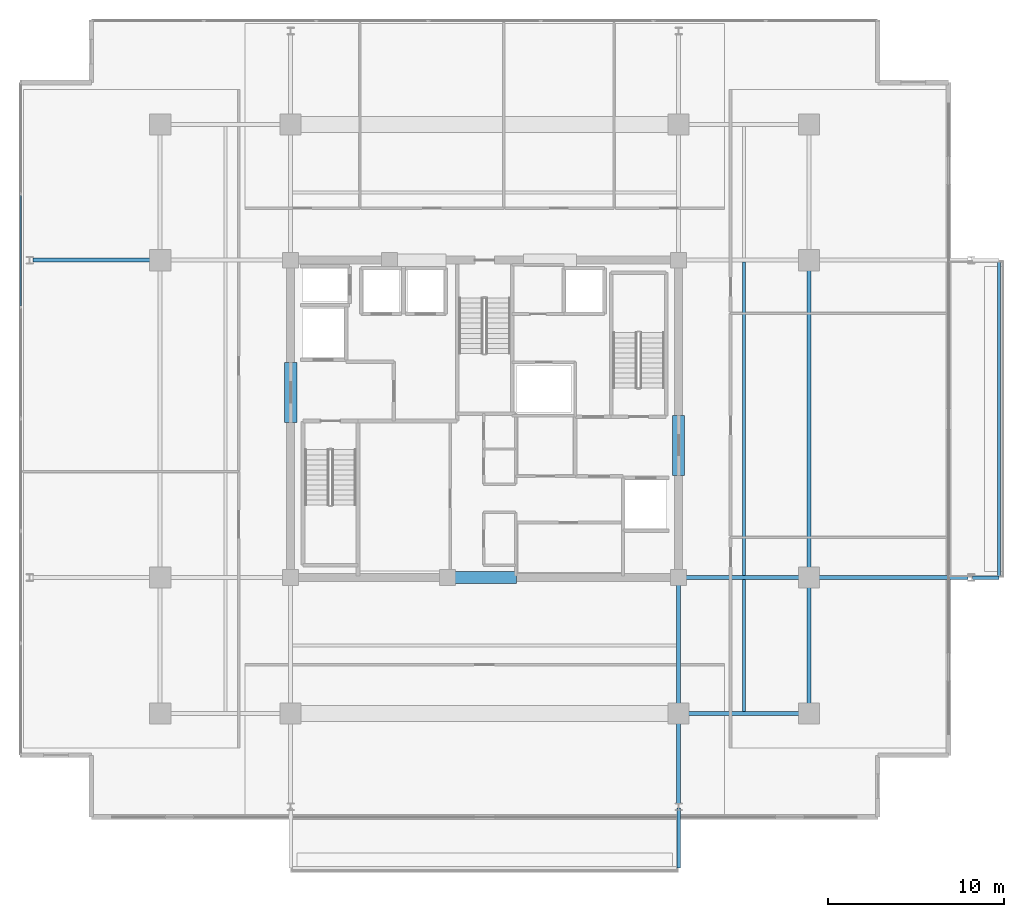
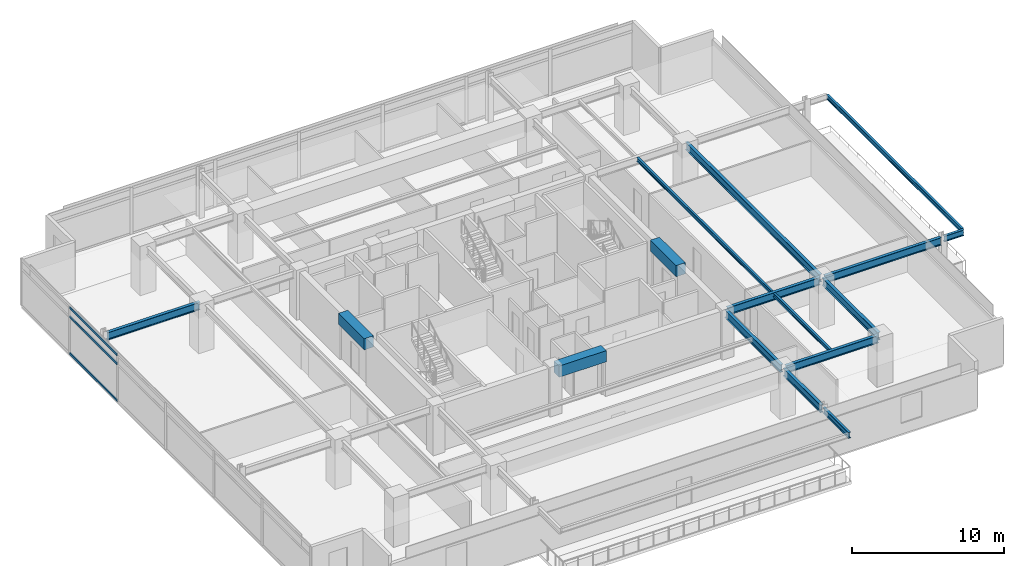
# One storey, part 6 of 21: 16 beams, 3 members, 1 element without a shape of its own.
"""IFC4 building model written with IfcOpenShell, lengths in metres."""

from ifc_helpers import new_model, si_unit, direction, frame, origin, origin_2d, place, context, subcontext, project, spatial, rectangle, hollow_rectangle, i_section, extrude, material, material_profile, profile_set, type_object, element, aggregate, save


model = new_model("IFC4")

# Units and contexts
model_context = context("Model", 3, precision=1e-05, world=origin(), true_north=direction((0.0, 1.0)))
body_context = subcontext(model_context, "Body", "Model", "MODEL_VIEW")
ifc_project = project(units=[si_unit("LENGTHUNIT", "METRE"), si_unit("AREAUNIT", "SQUARE_METRE"), si_unit("VOLUMEUNIT", "CUBIC_METRE"), si_unit("PLANEANGLEUNIT", "RADIAN"), si_unit("MASSUNIT", "GRAM", prefix="KILO")], contexts=[model_context])

# Site, building, storey
site_placement = place(None, origin())
site = spatial("IfcSite", under=ifc_project, at=site_placement, CompositionType="ELEMENT")
building_placement = place(site_placement, origin())
building = spatial("IfcBuilding", under=site, at=building_placement, Name="Kovane Verandah Tower", CompositionType="ELEMENT")
storey_placement = place(building_placement, frame((0.0, 0.0, 263.199951171875)))
storey = spatial("IfcBuildingStorey", under=building, at=storey_placement, Name="L61", CompositionType="ELEMENT", Elevation=263.199951171875)

# Beams
ifc_material_1 = material(Name="Concrete C60/75", Category="concrete")
ifc_material_profile_1 = material_profile(ifc_material_1, rectangle(XDim=0.699951171875, YDim=0.89990234375, at=origin_2d()), Name="RCB700x900")
ifc_profile_set_1 = profile_set([ifc_material_profile_1], Name="Concrete C60/75")
beam_type_1 = type_object("IfcBeamType", Name="BM-LINTEL-700x900", PredefinedType="LINTEL", material=ifc_profile_set_1)
beam_1_placement = place(storey_placement, frame((38.199951171875, 18.5, 3.3349609375), z_axis=(1.0, 0.0, 0.0), x_axis=(0.0, 1.0, 0.0)))
element("IfcBeam", 1, at=beam_1_placement, inside=storey, type_object=beam_type_1, Name="L61 Core Coupling Lintel CL-S", PredefinedType="LINTEL", context=body_context, shape_type="SweptSolid", body=[
    extrude(rectangle(XDim=0.699951171875, YDim=0.89990234375, at=origin_2d()), origin(), (0.0, 0.0, 1.0), 3.60009765625),
])
for number, where, z_axis, x_axis, name in (
    (2, (29.0, 27.300048828125, 3.3349609375), (0.0, 1.0, 0.0), (-1.0, 0.0, 0.0), "L61 Core Coupling Lintel CL-W"),
    (3, (51.0, 24.300048828125, 3.3349609375), (0.0, 1.0, 0.0), (-1.0, 0.0, 0.0), "L61 Core Coupling Lintel CL-E"),
):
    element("IfcBeam", number, at=place(storey_placement, frame(where, z_axis=z_axis, x_axis=x_axis)), inside=storey, type_object=beam_type_1, Name=name, PredefinedType="LINTEL", context=body_context, shape_type="SweptSolid", body=[
        extrude(rectangle(XDim=0.699951171875, YDim=0.89990234375, at=origin_2d()), origin(), (0.0, 0.0, 1.0), 3.39990234375),
    ])
ifc_material_2 = material(Name="Steel S355", Category="steel")
ifc_material_profile_2 = material_profile(ifc_material_2, i_section(OverallWidth=0.230224609375, OverallDepth=0.6171875, WebThickness=0.01318359375, FlangeThickness=0.022216796875, FilletRadius=0.0126953125, at=origin_2d()), Name="UB610x229x140")
ifc_profile_set_2 = profile_set([ifc_material_profile_2], Name="Steel S355")
beam_type_2 = type_object("IfcBeamType", Name="BM-UB610x140", PredefinedType="BEAM", material=ifc_profile_set_2)
beam_2_placement = place(storey_placement, frame((51.179931640625, 10.800048828125, 3.4765625), z_axis=(1.0, 0.0, 0.0), x_axis=(0.0, 1.0, 0.0)))
element("IfcBeam", 4, at=beam_2_placement, inside=storey, type_object=beam_type_2, Name="L61 Primary Tower Girder G-RS3", PredefinedType="BEAM", context=body_context, shape_type="SweptSolid", body=[
    extrude(i_section(OverallWidth=0.230224609375, OverallDepth=0.6171875, WebThickness=0.01318359375, FlangeThickness=0.022216796875, FilletRadius=0.0126953125, at=origin_2d()), origin(), (0.0, 0.0, 1.0), 7.0400390625),
])
beam_3_placement = place(storey_placement, frame((58.39990234375, 10.97998046875, 3.4765625), z_axis=(0.0, 1.0, 0.0), x_axis=(-1.0, 0.0, 0.0)))
element("IfcBeam", 5, at=beam_3_placement, inside=storey, type_object=beam_type_2, Name="L61 Primary Tower Girder G-RE1", PredefinedType="BEAM", context=body_context, shape_type="SweptSolid", body=[
    extrude(i_section(OverallWidth=0.230224609375, OverallDepth=0.6171875, WebThickness=0.01318359375, FlangeThickness=0.022216796875, FilletRadius=0.0126953125, at=origin_2d()), origin(), (0.0, 0.0, 1.0), 7.340087890625),
])
beam_4_placement = place(storey_placement, frame((58.39990234375, 18.679931640625, 3.4765625), z_axis=(0.0, 1.0, 0.0), x_axis=(-1.0, 0.0, 0.0)))
element("IfcBeam", 6, at=beam_4_placement, inside=storey, type_object=beam_type_2, Name="L61 Primary Tower Girder G-RE2", PredefinedType="BEAM", context=body_context, shape_type="SweptSolid", body=[
    extrude(i_section(OverallWidth=0.230224609375, OverallDepth=0.6171875, WebThickness=0.01318359375, FlangeThickness=0.022216796875, FilletRadius=0.0126953125, at=origin_2d()), origin(), (0.0, 0.0, 1.0), 17.64013671875),
])
beam_5_placement = place(storey_placement, frame((51.179931640625, 18.5, 3.4765625), z_axis=(1.0, 0.0, 0.0), x_axis=(0.0, 1.0, 0.0)))
element("IfcBeam", 7, at=beam_5_placement, inside=storey, type_object=beam_type_2, Name="L61 Primary Tower Girder G-E1", PredefinedType="BEAM", context=body_context, shape_type="SweptSolid", body=[
    extrude(i_section(OverallWidth=0.230224609375, OverallDepth=0.6171875, WebThickness=0.01318359375, FlangeThickness=0.022216796875, FilletRadius=0.0126953125, at=origin_2d()), origin(), (0.0, 0.0, 1.0), 7.0400390625),
])
beam_6_placement = place(storey_placement, frame((51.0, 18.320068359375, 3.4765625), z_axis=(0.0, -1.0, 0.0), x_axis=(1.0, 0.0, 0.0)))
element("IfcBeam", 8, at=beam_6_placement, inside=storey, type_object=beam_type_2, Name="L61 Primary Tower Girder G-S2", PredefinedType="BEAM", context=body_context, shape_type="SweptSolid", body=[
    extrude(i_section(OverallWidth=0.230224609375, OverallDepth=0.6171875, WebThickness=0.01318359375, FlangeThickness=0.022216796875, FilletRadius=0.0126953125, at=origin_2d()), origin(), (0.0, 0.0, 1.0), 7.340087890625),
])
beam_7_placement = place(storey_placement, frame((21.419921875, 36.5, 3.451416015625), z_axis=(-1.0, 0.0, 0.0), x_axis=(0.0, -1.0, 0.0)))
element("IfcBeam", 9, at=beam_7_placement, inside=storey, type_object=beam_type_2, Name="L61 Primary Tower Girder G-VW2", PredefinedType="BEAM", context=body_context, shape_type="SweptSolid", body=[
    extrude(i_section(OverallWidth=0.230224609375, OverallDepth=0.6171875, WebThickness=0.01318359375, FlangeThickness=0.022216796875, FilletRadius=0.0126953125, at=origin_2d()), origin(), (0.0, 0.0, 1.0), 7.0400390625),
])
beam_8_placement = place(storey_placement, frame((58.580078125, 18.5, 3.451416015625), z_axis=(1.0, 0.0, 0.0), x_axis=(0.0, 1.0, 0.0)))
element("IfcBeam", 10, at=beam_8_placement, inside=storey, type_object=beam_type_2, Name="L61 Primary Tower Girder G-VE1", PredefinedType="BEAM", context=body_context, shape_type="SweptSolid", body=[
    extrude(i_section(OverallWidth=0.230224609375, OverallDepth=0.6171875, WebThickness=0.01318359375, FlangeThickness=0.022216796875, FilletRadius=0.0126953125, at=origin_2d()), origin(), (0.0, 0.0, 1.0), 8.83984375),
])
beam_9_placement = place(storey_placement, frame((51.0, 10.6201171875, 3.451416015625), z_axis=(0.0, -1.0, 0.0), x_axis=(1.0, 0.0, 0.0)))
element("IfcBeam", 11, at=beam_9_placement, inside=storey, type_object=beam_type_2, Name="L61 Primary Tower Girder G-VS2", PredefinedType="BEAM", context=body_context, shape_type="SweptSolid", body=[
    extrude(i_section(OverallWidth=0.230224609375, OverallDepth=0.6171875, WebThickness=0.01318359375, FlangeThickness=0.022216796875, FilletRadius=0.0126953125, at=origin_2d()), origin(), (0.0, 0.0, 1.0), 4.940185546875),
])

# Curtain wall, members
ifc_material_3 = material(Name="Champagne Anodised Aluminium Frame with Low-E Clear Laminated Glass", Category="aluminium")
curtain_wall_type = type_object("IfcCurtainWallType", Name="CW-SYS-05-HIGH", PredefinedType="NOTDEFINED", material=ifc_material_3)
curtain_wall_placement = place(storey_placement, origin())
curtain_wall = element("IfcCurtainWall", 12, at=curtain_wall_placement, inside=storey, type_object=curtain_wall_type, Name="L61 W Unitised Curtain Wall", PredefinedType="NOTDEFINED")
ifc_material_4 = material(Name="Champagne Anodised Aluminium 6063-T6", Category="aluminium")
ifc_material_profile_3 = material_profile(ifc_material_4, hollow_rectangle(XDim=0.0849609375, YDim=0.18994140625, WallThickness=0.00390625, at=origin_2d()), Name="AL85x190x4")
ifc_profile_set_3 = profile_set([ifc_material_profile_3], Name="Champagne Anodised Aluminium 6063-T6")
member_type = type_object("IfcMemberType", Name="CW-TRN-85x190", PredefinedType="USERDEFINED", material=ifc_profile_set_3)
member_1_placement = place(storey_placement, frame((13.6923828125, 40.169921875, 0.050048828125), z_axis=(0.0, -1.0, 0.0), x_axis=(1.0, 0.0, 0.0)))
member_1 = element("IfcMember", 13, at=member_1_placement, type_object=member_type, Name="L61 W Unitised Curtain Wall Transom TB Bay 2", ObjectType="TRANSOM", PredefinedType="USERDEFINED", context=body_context, shape_type="SweptSolid", body=[
    extrude(hollow_rectangle(XDim=0.0849609375, YDim=0.18994140625, WallThickness=0.00390625, at=origin_2d()), origin(), (0.0, 0.0, 1.0), 6.260009765625),
])
member_2_placement = place(storey_placement, frame((13.6923828125, 40.169921875, 3.005126953125), z_axis=(0.0, -1.0, 0.0), x_axis=(1.0, 0.0, 0.0)))
member_2 = element("IfcMember", 14, at=member_2_placement, type_object=member_type, Name="L61 W Unitised Curtain Wall Transom TM Bay 2", ObjectType="TRANSOM", PredefinedType="USERDEFINED", context=body_context, shape_type="SweptSolid", body=[
    extrude(hollow_rectangle(XDim=0.0849609375, YDim=0.18994140625, WallThickness=0.00390625, at=origin_2d()), origin(), (0.0, 0.0, 1.0), 6.260009765625),
])
member_3_placement = place(storey_placement, frame((13.6923828125, 40.169921875, 3.735107421875), z_axis=(0.0, -1.0, 0.0), x_axis=(1.0, 0.0, 0.0)))
member_3 = element("IfcMember", 15, at=member_3_placement, type_object=member_type, Name="L61 W Unitised Curtain Wall Transom TT Bay 2", ObjectType="TRANSOM", PredefinedType="USERDEFINED", context=body_context, shape_type="SweptSolid", body=[
    extrude(hollow_rectangle(XDim=0.0849609375, YDim=0.18994140625, WallThickness=0.00390625, at=origin_2d()), origin(), (0.0, 0.0, 1.0), 6.260009765625),
])
aggregate(curtain_wall, [member_1, member_2, member_3])

# Beams
ifc_material_profile_4 = material_profile(ifc_material_2, i_section(OverallWidth=0.1669921875, OverallDepth=0.310302734375, WebThickness=0.0078125, FlangeThickness=0.013671875, FilletRadius=0.0087890625, at=origin_2d()), Name="UB305x165x54")
ifc_profile_set_4 = profile_set([ifc_material_profile_4], Name="Steel S355")
beam_type_3 = type_object("IfcBeamType", Name="JST-UB305x54", PredefinedType="JOIST", material=ifc_profile_set_4)
beam_10_placement = place(storey_placement, frame((54.699951171875, 18.613037109375, 3.6298828125), z_axis=(0.0, 1.0, 0.0), x_axis=(-1.0, 0.0, 0.0)))
element("IfcBeam", 16, at=beam_10_placement, inside=storey, type_object=beam_type_3, Name="L61 Secondary Composite Joist J-E1", PredefinedType="JOIST", context=body_context, shape_type="SweptSolid", body=[
    extrude(i_section(OverallWidth=0.1669921875, OverallDepth=0.310302734375, WebThickness=0.0078125, FlangeThickness=0.013671875, FilletRadius=0.0087890625, at=origin_2d()), origin(), (0.0, 0.0, 1.0), 17.77392578125),
])
beam_11_placement = place(storey_placement, frame((54.699951171875, 10.9130859375, 3.6298828125), z_axis=(0.0, 1.0, 0.0), x_axis=(-1.0, 0.0, 0.0)))
element("IfcBeam", 17, at=beam_11_placement, inside=storey, type_object=beam_type_3, Name="L61 Secondary Composite Joist J-SE1", PredefinedType="JOIST", context=body_context, shape_type="SweptSolid", body=[
    extrude(i_section(OverallWidth=0.1669921875, OverallDepth=0.310302734375, WebThickness=0.0078125, FlangeThickness=0.013671875, FilletRadius=0.0087890625, at=origin_2d()), origin(), (0.0, 0.0, 1.0), 7.473876953125),
])
ifc_material_profile_5 = material_profile(ifc_material_2, i_section(OverallWidth=0.19287109375, OverallDepth=0.46728515625, WebThickness=0.011474609375, FlangeThickness=0.01953125, FilletRadius=0.01025390625, at=origin_2d()), Name="UB457x191x98")
ifc_profile_set_5 = profile_set([ifc_material_profile_5], Name="Steel S355")
beam_type_4 = type_object("IfcBeamType", Name="JST-UB457x98", PredefinedType="JOIST", material=ifc_profile_set_5)
beam_12_placement = place(storey_placement, frame((51.0, 5.419921875, 3.5263671875), z_axis=(0.0, -1.0, 0.0), x_axis=(1.0, 0.0, 0.0)))
element("IfcBeam", 18, at=beam_12_placement, inside=storey, type_object=beam_type_4, Name="L61 South Planter Girder 2", PredefinedType="JOIST", context=body_context, shape_type="SweptSolid", body=[
    extrude(i_section(OverallWidth=0.19287109375, OverallDepth=0.46728515625, WebThickness=0.011474609375, FlangeThickness=0.01953125, FilletRadius=0.01025390625, at=origin_2d()), origin(), (0.0, 0.0, 1.0), 3.393310546875),
])
beam_13_placement = place(storey_placement, frame((67.679931640625, 18.5, 3.5263671875), z_axis=(1.0, 0.0, 0.0), x_axis=(0.0, 1.0, 0.0)))
element("IfcBeam", 19, at=beam_13_placement, inside=storey, type_object=beam_type_4, Name="L61 East Planter Girder 1", PredefinedType="JOIST", context=body_context, shape_type="SweptSolid", body=[
    extrude(i_section(OverallWidth=0.19287109375, OverallDepth=0.46728515625, WebThickness=0.011474609375, FlangeThickness=0.01953125, FilletRadius=0.01025390625, at=origin_2d()), origin(), (0.0, 0.0, 1.0), 1.49072265625),
])
ifc_material_profile_6 = material_profile(ifc_material_2, i_section(OverallWidth=0.173095703125, OverallDepth=0.36328125, WebThickness=0.009033203125, FlangeThickness=0.015625, FilletRadius=0.01025390625, at=origin_2d()), Name="UB356x171x67")
ifc_profile_set_6 = profile_set([ifc_material_profile_6], Name="Steel S355")
beam_type_5 = type_object("IfcBeamType", Name="SPD-UB356x67", PredefinedType="USERDEFINED", material=ifc_profile_set_6)
beam_14_placement = place(storey_placement, frame((69.170654296875, 18.594482421875, 3.578369140625), z_axis=(0.0, 1.0, 0.0), x_axis=(-1.0, 0.0, 0.0)))
element("IfcBeam", 20, at=beam_14_placement, inside=storey, type_object=beam_type_5, Name="L61 East Planter Edge Spandrel", ObjectType="SPANDREL", PredefinedType="USERDEFINED", context=body_context, shape_type="SweptSolid", body=[
    extrude(i_section(OverallWidth=0.173095703125, OverallDepth=0.36328125, WebThickness=0.009033203125, FlangeThickness=0.015625, FilletRadius=0.01025390625, at=origin_2d()), origin(), (0.0, 0.0, 1.0), 17.81103515625),
])

save(model, "model.ifc")
